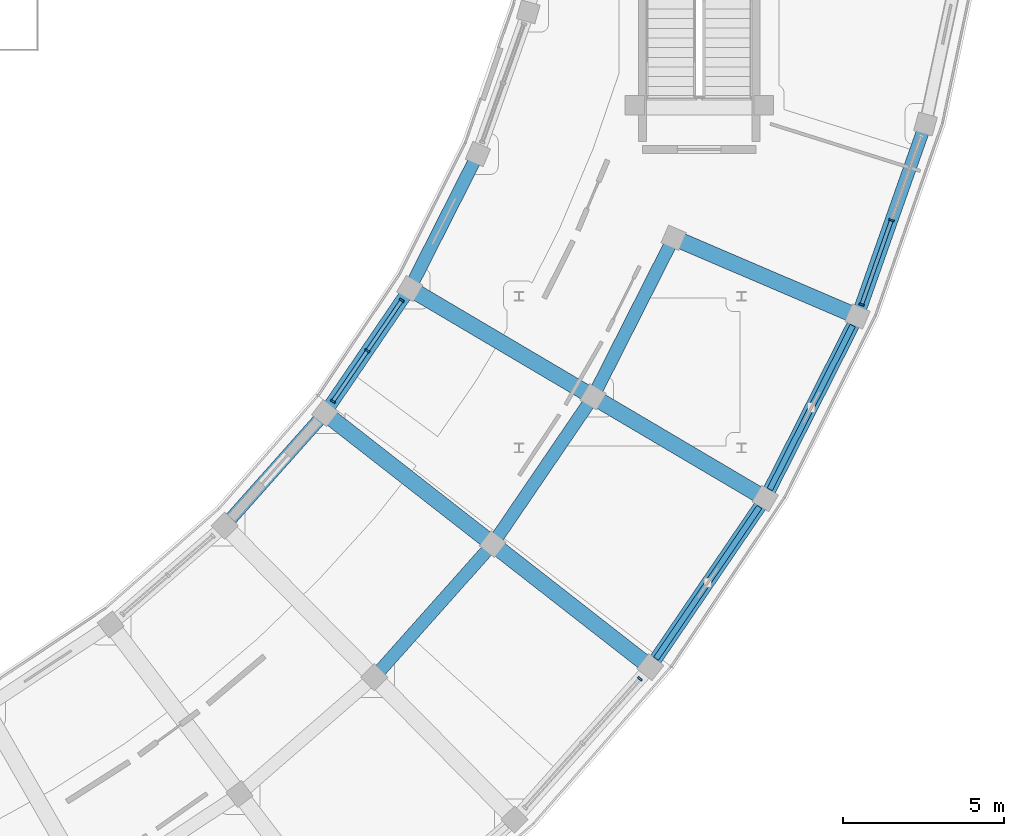
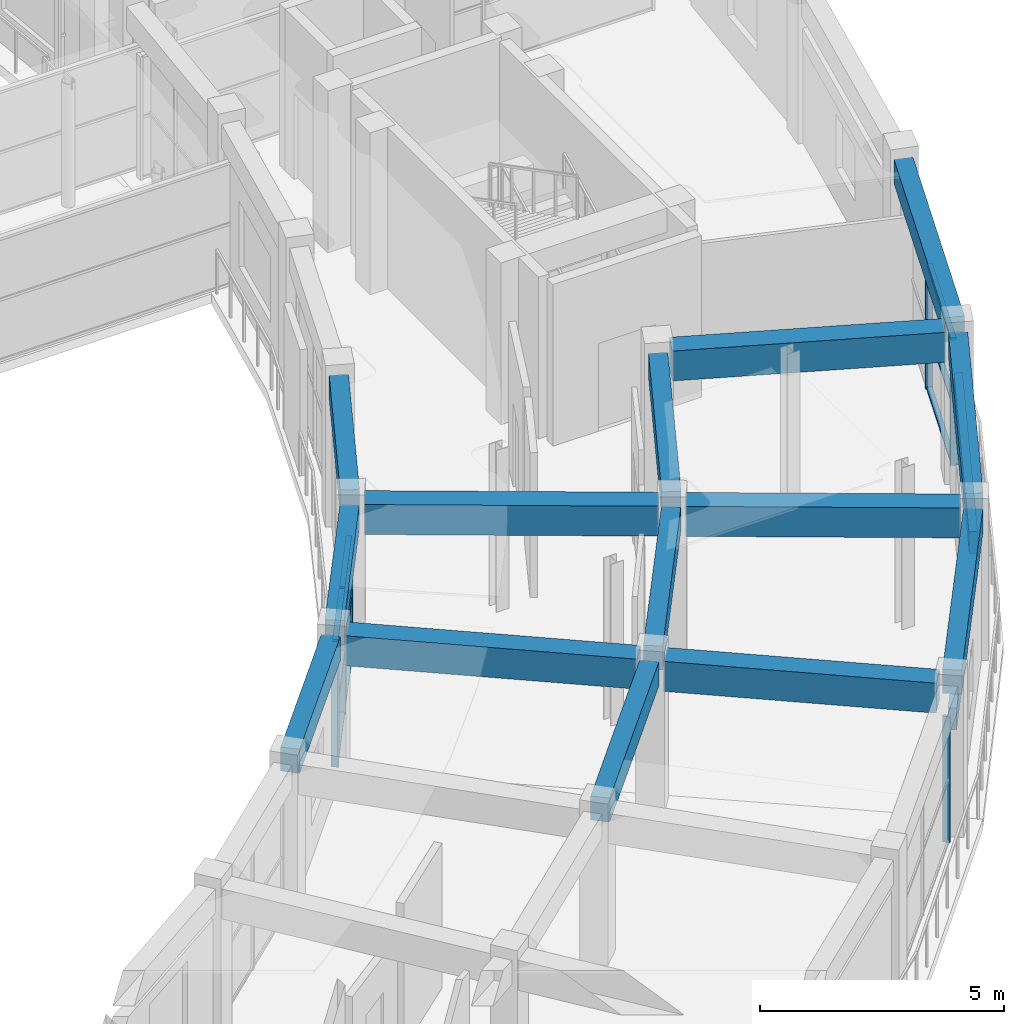
# One storey, part 17 of 53: 17 members, 14 beams, 3 elements without a shape of their own.
"""IFC4 building model written with IfcOpenShell, lengths in metres."""

from ifc_helpers import new_model, si_unit, direction, frame, origin, origin_2d, place, context, subcontext, project, spatial, rectangle, extrude, material, material_profile, profile_set, type_object, element, aggregate, save


model = new_model("IFC4")

# Units and contexts
model_context = context("Model", 3, precision=1e-05, world=origin(), true_north=direction((0.0, 1.0)))
body_context = subcontext(model_context, "Body", "Model", "MODEL_VIEW")
ifc_project = project(units=[si_unit("LENGTHUNIT", "METRE"), si_unit("AREAUNIT", "SQUARE_METRE"), si_unit("VOLUMEUNIT", "CUBIC_METRE"), si_unit("PLANEANGLEUNIT", "RADIAN"), si_unit("MASSUNIT", "GRAM", prefix="KILO")], contexts=[model_context])

# Site, building, storey
site_placement = place(None, origin())
site = spatial("IfcSite", under=ifc_project, at=site_placement, CompositionType="ELEMENT")
building_placement = place(site_placement, origin())
building = spatial("IfcBuilding", under=site, at=building_placement, Name="Saryqyr Civic Hall", CompositionType="ELEMENT")
storey_placement = place(building_placement, frame((0.0, 0.0, 21.300048828125)))
storey = spatial("IfcBuildingStorey", under=building, at=storey_placement, Name="L05", CompositionType="ELEMENT", Elevation=21.300048828125)

# Curtain wall, member
ifc_material_1 = material(Name="Anodised aluminium and triple low-E glass", Category="aluminium")
curtain_wall_type_1 = type_object("IfcCurtainWallType", Name="ENV-CW-STD-39", PredefinedType="NOTDEFINED", material=ifc_material_1)
curtain_wall_1_placement = place(storey_placement, origin())
curtain_wall_1 = element("IfcCurtainWall", 1, at=curtain_wall_1_placement, inside=storey, type_object=curtain_wall_type_1, Name="Curtain wall V5-CWO-L05-04", PredefinedType="NOTDEFINED")
ifc_material_2 = material(Name="Anodised aluminium", Category="aluminium")
ifc_material_profile_1 = material_profile(ifc_material_2, rectangle(XDim=0.06005859375, YDim=0.159912109375, at=origin_2d()), Name="ALU MULLION 60x160")
ifc_profile_set_1 = profile_set([ifc_material_profile_1], Name="Anodised aluminium")
member_type_1 = type_object("IfcMemberType", Name="ENV-CW-MUL-180", PredefinedType="MULLION", material=ifc_profile_set_1)
member_1_placement = place(storey_placement, frame((95.302978515625, 53.487060546875, 0.0), z_axis=(0.0, 0.0, 1.0), x_axis=(-0.664934159467, -0.746901977219, 0.0)))
member_1 = element("IfcMember", 2, at=member_1_placement, type_object=member_type_1, Name="CW-39 mullion 1", PredefinedType="MULLION", context=body_context, shape_type="SweptSolid", body=[
    extrude(rectangle(XDim=0.06005859375, YDim=0.159912109375, at=origin_2d()), origin(), (0.0, 0.0, 1.0), 3.155029296875),
])
aggregate(curtain_wall_1, [member_1])

# Curtain wall, members
curtain_wall_type_2 = type_object("IfcCurtainWallType", Name="ENV-CW-STD-27", PredefinedType="NOTDEFINED", material=ifc_material_1)
curtain_wall_2_placement = place(storey_placement, origin())
curtain_wall_2 = element("IfcCurtainWall", 3, at=curtain_wall_2_placement, inside=storey, type_object=curtain_wall_type_2, Name="Curtain wall V5-CWI-L05-05", PredefinedType="NOTDEFINED")
member_2_placement = place(storey_placement, frame((85.7841796875, 62.09033203125, 0.0), z_axis=(0.0, 0.0, 1.0), x_axis=(0.563129803105, 0.826368455869, 0.0)))
member_2 = element("IfcMember", 4, at=member_2_placement, type_object=member_type_1, Name="CW-27 mullion 1", PredefinedType="MULLION", context=body_context, shape_type="SweptSolid", body=[
    extrude(rectangle(XDim=0.06005859375, YDim=0.159912109375, at=origin_2d()), origin(), (0.0, 0.0, 1.0), 3.155029296875),
])
member_3_placement = place(storey_placement, frame((86.85205078125, 63.6572265625, 0.0), z_axis=(0.0, 0.0, 1.0), x_axis=(0.563129803105, 0.826368455869, 0.0)))
member_3 = element("IfcMember", 5, at=member_3_placement, type_object=member_type_1, Name="CW-27 mullion 2", PredefinedType="MULLION", context=body_context, shape_type="SweptSolid", body=[
    extrude(rectangle(XDim=0.06005859375, YDim=0.159912109375, at=origin_2d()), origin(), (0.0, 0.0, 1.0), 3.155029296875),
])
member_4_placement = place(storey_placement, frame((87.919921875, 65.22412109375, 0.0), z_axis=(0.0, 0.0, 1.0), x_axis=(0.563129803105, 0.826368455869, 0.0)))
member_4 = element("IfcMember", 6, at=member_4_placement, type_object=member_type_1, Name="CW-27 mullion 3", PredefinedType="MULLION", context=body_context, shape_type="SweptSolid", body=[
    extrude(rectangle(XDim=0.06005859375, YDim=0.159912109375, at=origin_2d()), origin(), (0.0, 0.0, 1.0), 3.155029296875),
])

curtain_wall_type_3 = type_object("IfcCurtainWallType", Name="ENV-CW-STD-40", PredefinedType="NOTDEFINED", material=ifc_material_1)
curtain_wall_3_placement = place(storey_placement, origin())
curtain_wall_3 = element("IfcCurtainWall", 7, at=curtain_wall_3_placement, inside=storey, type_object=curtain_wall_type_3, Name="Curtain wall V5-CWO-L05-07", PredefinedType="NOTDEFINED")
member_5_placement = place(storey_placement, frame((103.103759765625, 67.707763671875, 0.0), z_axis=(0.0, 0.0, 1.0), x_axis=(-0.33318018147, -0.942863174949, 0.0)))
member_5 = element("IfcMember", 8, at=member_5_placement, type_object=member_type_1, Name="CW-40 mullion 2", PredefinedType="MULLION", context=body_context, shape_type="SweptSolid", body=[
    extrude(rectangle(XDim=0.06005859375, YDim=0.159912109375, at=origin_2d()), origin(), (0.0, 0.0, 1.0), 3.155029296875),
])
member_6_placement = place(storey_placement, frame((102.1796875, 65.0927734375, 0.0), z_axis=(0.0, 0.0, 1.0), x_axis=(-0.33318018147, -0.942863174949, 0.0)))
member_6 = element("IfcMember", 9, at=member_6_placement, type_object=member_type_1, Name="CW-40 mullion 3", PredefinedType="MULLION", context=body_context, shape_type="SweptSolid", body=[
    extrude(rectangle(XDim=0.06005859375, YDim=0.159912109375, at=origin_2d()), origin(), (0.0, 0.0, 1.0), 3.155029296875),
])

# Member
ifc_material_profile_2 = material_profile(ifc_material_2, rectangle(XDim=0.1201171875, YDim=0.06005859375, at=origin_2d()), Name="ALU TRANSOM 120x60")
ifc_profile_set_2 = profile_set([ifc_material_profile_2], Name="Anodised aluminium")
member_type_2 = type_object("IfcMemberType", Name="ENV-CW-TRN-150", PredefinedType="USERDEFINED", material=ifc_profile_set_2)
member_7_placement = place(storey_placement, frame((85.80126953125, 62.114990234375, 0.030029296875), z_axis=(0.56304801064, 0.826424187518, 0.0), x_axis=(-0.826424187518, 0.56304801064, 0.0)))
member_7 = element("IfcMember", 10, at=member_7_placement, type_object=member_type_2, Name="CW-27 transom 1.1", ObjectType="TRANSOM", PredefinedType="USERDEFINED", context=body_context, shape_type="SweptSolid", body=[
    extrude(rectangle(XDim=0.1201171875, YDim=0.06005859375, at=origin_2d()), origin(), (0.0, 0.0, 1.0), 1.83642578125),
])

member_8_placement = place(storey_placement, frame((85.80126953125, 62.114990234375, 1.577880859375), z_axis=(0.56304801064, 0.826424187518, 0.0), x_axis=(-0.826424187518, 0.56304801064, 0.0)))
member_8 = element("IfcMember", 11, at=member_8_placement, type_object=member_type_2, Name="CW-27 transom 1.2", ObjectType="TRANSOM", PredefinedType="USERDEFINED", context=body_context, shape_type="SweptSolid", body=[
    extrude(rectangle(XDim=0.1201171875, YDim=0.06005859375, at=origin_2d()), origin(), (0.0, 0.0, 1.0), 1.83642578125),
])

member_9_placement = place(storey_placement, frame((85.80126953125, 62.114990234375, 3.125), z_axis=(0.56304801064, 0.826424187518, 0.0), x_axis=(-0.826424187518, 0.56304801064, 0.0)))
member_9 = element("IfcMember", 12, at=member_9_placement, type_object=member_type_2, Name="CW-27 transom 1.3", ObjectType="TRANSOM", PredefinedType="USERDEFINED", context=body_context, shape_type="SweptSolid", body=[
    extrude(rectangle(XDim=0.1201171875, YDim=0.06005859375, at=origin_2d()), origin(), (0.0, 0.0, 1.0), 1.83642578125),
])

member_10_placement = place(storey_placement, frame((86.868896484375, 63.68212890625, 0.030029296875), z_axis=(0.563200673278, 0.826320156852, 0.0), x_axis=(-0.826320156852, 0.563200673278, 0.0)))
member_10 = element("IfcMember", 13, at=member_10_placement, type_object=member_type_2, Name="CW-27 transom 2.1", ObjectType="TRANSOM", PredefinedType="USERDEFINED", context=body_context, shape_type="SweptSolid", body=[
    extrude(rectangle(XDim=0.1201171875, YDim=0.06005859375, at=origin_2d()), origin(), (0.0, 0.0, 1.0), 1.836181640625),
])

member_11_placement = place(storey_placement, frame((86.868896484375, 63.68212890625, 1.577880859375), z_axis=(0.563200673278, 0.826320156852, 0.0), x_axis=(-0.826320156852, 0.563200673278, 0.0)))
member_11 = element("IfcMember", 14, at=member_11_placement, type_object=member_type_2, Name="CW-27 transom 2.2", ObjectType="TRANSOM", PredefinedType="USERDEFINED", context=body_context, shape_type="SweptSolid", body=[
    extrude(rectangle(XDim=0.1201171875, YDim=0.06005859375, at=origin_2d()), origin(), (0.0, 0.0, 1.0), 1.836181640625),
])

member_12_placement = place(storey_placement, frame((86.868896484375, 63.68212890625, 3.125), z_axis=(0.563200673278, 0.826320156852, 0.0), x_axis=(-0.826320156852, 0.563200673278, 0.0)))
member_12 = element("IfcMember", 15, at=member_12_placement, type_object=member_type_2, Name="CW-27 transom 2.3", ObjectType="TRANSOM", PredefinedType="USERDEFINED", context=body_context, shape_type="SweptSolid", body=[
    extrude(rectangle(XDim=0.1201171875, YDim=0.06005859375, at=origin_2d()), origin(), (0.0, 0.0, 1.0), 1.836181640625),
])

aggregate(curtain_wall_2, [member_2, member_3, member_4, member_7, member_8, member_9, member_10, member_11, member_12])

member_13_placement = place(storey_placement, frame((103.09375, 67.679443359375, 0.030029296875), z_axis=(-0.333182490283, -0.94286235908, 0.0), x_axis=(0.94286235908, -0.333182490283, 0.0)))
member_13 = element("IfcMember", 16, at=member_13_placement, type_object=member_type_2, Name="CW-40 transom 2.1", ObjectType="TRANSOM", PredefinedType="USERDEFINED", context=body_context, shape_type="SweptSolid", body=[
    extrude(rectangle(XDim=0.1201171875, YDim=0.06005859375, at=origin_2d()), origin(), (0.0, 0.0, 1.0), 2.71337890625),
])

member_14_placement = place(storey_placement, frame((103.09375, 67.679443359375, 1.577880859375), z_axis=(-0.333182490283, -0.94286235908, 0.0), x_axis=(0.94286235908, -0.333182490283, 0.0)))
member_14 = element("IfcMember", 17, at=member_14_placement, type_object=member_type_2, Name="CW-40 transom 2.2", ObjectType="TRANSOM", PredefinedType="USERDEFINED", context=body_context, shape_type="SweptSolid", body=[
    extrude(rectangle(XDim=0.1201171875, YDim=0.06005859375, at=origin_2d()), origin(), (0.0, 0.0, 1.0), 2.71337890625),
])

member_15_placement = place(storey_placement, frame((103.09375, 67.679443359375, 3.125), z_axis=(-0.333182490283, -0.94286235908, 0.0), x_axis=(0.94286235908, -0.333182490283, 0.0)))
member_15 = element("IfcMember", 18, at=member_15_placement, type_object=member_type_2, Name="CW-40 transom 2.3", ObjectType="TRANSOM", PredefinedType="USERDEFINED", context=body_context, shape_type="SweptSolid", body=[
    extrude(rectangle(XDim=0.1201171875, YDim=0.06005859375, at=origin_2d()), origin(), (0.0, 0.0, 1.0), 2.71337890625),
])

aggregate(curtain_wall_3, [member_5, member_6, member_13, member_14, member_15])

# Members
ifc_material_3 = material(Name="Precast concrete C40/50", Category="concrete")
ifc_material_profile_3 = material_profile(ifc_material_3, rectangle(XDim=0.179931640625, YDim=0.550048828125, at=origin_2d()), Name="PC FIN 180x550")
ifc_profile_set_3 = profile_set([ifc_material_profile_3], Name="Precast concrete C40/50")
member_type_3 = type_object("IfcMemberType", Name="ENV-FIN-PC550", PredefinedType="USERDEFINED", material=ifc_profile_set_3)
for number, where, z_axis, x_axis, name in (
    (19, (95.8046875, 54.1123046875, 2.52001953125), (0.563123876528, 0.826372494511, 0.0), (-0.826372494511, 0.563123876528, 0.0), "Precast horizontal solar brise-soleil fin V5-L05-05"),
    (20, (99.3330078125, 59.36279296875, 2.52001953125), (0.451959332765, 0.892038542624, 0.0), (-0.892038542624, 0.451959332765, 0.0), "Precast horizontal solar brise-soleil fin V5-L05-06"),
):
    element("IfcMember", number, at=place(storey_placement, frame(where, z_axis=z_axis, x_axis=x_axis)), inside=storey, type_object=member_type_3, Name=name, ObjectType="SOLAR_FIN", PredefinedType="USERDEFINED", context=body_context, shape_type="SweptSolid", body=[
        extrude(rectangle(XDim=0.179931640625, YDim=0.550048828125, at=origin_2d()), origin(), (0.0, 0.0, 1.0), 5.6923828125),
    ])

# Beams
ifc_material_4 = material(Name="Concrete C35/45", Category="concrete")
ifc_material_profile_4 = material_profile(ifc_material_4, rectangle(XDim=0.39990234375, YDim=0.60009765625, at=origin_2d()), Name="RC 400x600")
ifc_profile_set_4 = profile_set([ifc_material_profile_4], Name="Concrete C35/45")
beam_type_1 = type_object("IfcBeamType", Name="STR-BM-RC400x600", PredefinedType="BEAM", material=ifc_profile_set_4)
for number, where, z_axis, x_axis, name in (
    (21, (87.24560546875, 53.7412109375, 3.47998046875), (0.664939021665, 0.746897648589, 0.0), (-0.746897648589, 0.664939021665, 0.0), "Beam V5-CBM-MID04-L05"),
    (22, (90.893310546875, 57.8916015625, 3.47998046875), (0.563126776121, 0.826370518603, 0.0), (-0.826370518603, 0.563126776121, 0.0), "Beam V5-CBM-MID05-L05"),
):
    element("IfcBeam", number, at=place(storey_placement, frame(where, z_axis=z_axis, x_axis=x_axis)), inside=storey, type_object=beam_type_1, Name=name, PredefinedType="BEAM", context=body_context, shape_type="SweptSolid", body=[
        extrude(rectangle(XDim=0.39990234375, YDim=0.60009765625, at=origin_2d()), origin(), (0.0, 0.0, 1.0), 4.9775390625),
    ])
beam_1_placement = place(storey_placement, frame((93.9755859375, 62.4775390625, 3.47998046875), z_axis=(0.451915877682, 0.892060558202, 0.0), x_axis=(-0.892060558202, 0.451915877682, 0.0)))
element("IfcBeam", 23, at=beam_1_placement, inside=storey, type_object=beam_type_1, Name="Beam V5-CBM-MID06-L05", PredefinedType="BEAM", context=body_context, shape_type="SweptSolid", body=[
    extrude(rectangle(XDim=0.39990234375, YDim=0.60009765625, at=origin_2d()), origin(), (0.0, 0.0, 1.0), 4.977783203125),
])
ifc_material_profile_5 = material_profile(ifc_material_4, rectangle(XDim=0.39990234375, YDim=0.60009765625, at=origin_2d()), Name="RC 400x600")
ifc_profile_set_5 = profile_set([ifc_material_profile_5], Name="Concrete C35/45")
beam_type_2 = type_object("IfcBeamType", Name="STR-BM-RC400x600-EXT", PredefinedType="BEAM", material=ifc_profile_set_5)
beam_2_placement = place(storey_placement, frame((82.60986328125, 58.43896484375, 3.47998046875), z_axis=(0.664933037621, 0.746902975948, 0.0), x_axis=(-0.746902975948, 0.664933037621, 0.0)))
element("IfcBeam", 24, at=beam_2_placement, inside=storey, type_object=beam_type_2, Name="Beam V5-CBM-IN04-L05", PredefinedType="BEAM", context=body_context, shape_type="SweptSolid", body=[
    extrude(rectangle(XDim=0.39990234375, YDim=0.60009765625, at=origin_2d()), origin(), (0.0, 0.0, 1.0), 4.125),
])
beam_3_placement = place(storey_placement, frame((85.690673828125, 61.952880859375, 3.47998046875), z_axis=(0.56312561749, 0.826371308146, 0.0), x_axis=(-0.826371308146, 0.56312561749, 0.0)))
element("IfcBeam", 25, at=beam_3_placement, inside=storey, type_object=beam_type_2, Name="Beam V5-CBM-IN05-L05", PredefinedType="BEAM", context=body_context, shape_type="SweptSolid", body=[
    extrude(rectangle(XDim=0.39990234375, YDim=0.60009765625, at=origin_2d()), origin(), (0.0, 0.0, 1.0), 4.125244140625),
])
beam_4_placement = place(storey_placement, frame((95.780517578125, 54.07666015625, 3.47998046875), z_axis=(0.563115242299, 0.82637837816, 0.0), x_axis=(-0.82637837816, 0.563115242299, 0.0)))
element("IfcBeam", 26, at=beam_4_placement, inside=storey, type_object=beam_type_2, Name="Beam V5-CBM-OUT05-L05", PredefinedType="BEAM", context=body_context, shape_type="SweptSolid", body=[
    extrude(rectangle(XDim=0.39990234375, YDim=0.60009765625, at=origin_2d()), origin(), (0.0, 0.0, 1.0), 5.7783203125),
])
beam_5_placement = place(storey_placement, frame((88.292724609375, 65.834228515625, 3.47998046875), z_axis=(0.45189446959, 0.89207140317, 0.0), x_axis=(-0.89207140317, 0.45189446959, 0.0)))
element("IfcBeam", 27, at=beam_5_placement, inside=storey, type_object=beam_type_2, Name="Beam V5-CBM-IN06-L05", PredefinedType="BEAM", context=body_context, shape_type="SweptSolid", body=[
    extrude(rectangle(XDim=0.39990234375, YDim=0.60009765625, at=origin_2d()), origin(), (0.0, 0.0, 1.0), 4.12548828125),
])
for number, where, z_axis, x_axis, name in (
    (28, (99.313720703125, 59.324462890625, 3.47998046875), (0.451922654691, 0.892057124952, 0.0), (-0.892057124952, 0.451922654691, 0.0), "Beam V5-CBM-OUT06-L05"),
    (29, (102.14111328125, 64.983642578125, 3.47998046875), (0.333186956354, 0.942860780877, 0.0), (-0.942860780877, 0.333186956354, 0.0), "Beam V5-CBM-OUT07-L05"),
):
    element("IfcBeam", number, at=place(storey_placement, frame(where, z_axis=z_axis, x_axis=x_axis)), inside=storey, type_object=beam_type_2, Name=name, PredefinedType="BEAM", context=body_context, shape_type="SweptSolid", body=[
        extrude(rectangle(XDim=0.39990234375, YDim=0.60009765625, at=origin_2d()), origin(), (0.0, 0.0, 1.0), 5.7783203125),
    ])
ifc_material_5 = material(Name="Concrete C40/50", Category="concrete")
ifc_material_profile_6 = material_profile(ifc_material_5, rectangle(XDim=0.5, YDim=0.75, at=origin_2d()), Name="RC 500x750")
ifc_profile_set_6 = profile_set([ifc_material_profile_6], Name="Concrete C40/50")
beam_type_3 = type_object("IfcBeamType", Name="STR-BM-RC500x750", PredefinedType="BEAM", material=ifc_profile_set_6)
beam_6_placement = place(storey_placement, frame((85.75244140625, 61.556396484375, 3.405029296875), z_axis=(0.788258017603, -0.615344860777, 0.0), x_axis=(0.615344860777, 0.788258017603, 0.0)))
element("IfcBeam", 30, at=beam_6_placement, inside=storey, type_object=beam_type_3, Name="Beam V5-RBM-A05-L05", PredefinedType="BEAM", context=body_context, shape_type="SweptSolid", body=[
    extrude(rectangle(XDim=0.5, YDim=0.75, at=origin_2d()), origin(), (0.0, 0.0, 1.0), 6.050048828125),
])
beam_7_placement = place(storey_placement, frame((90.955078125, 57.4951171875, 3.405029296875), z_axis=(0.788283067243, -0.615312770791, 0.0), x_axis=(0.615312770791, 0.788283067243, 0.0)))
element("IfcBeam", 31, at=beam_7_placement, inside=storey, type_object=beam_type_3, Name="Beam V5-RBM-B05-L05", PredefinedType="BEAM", context=body_context, shape_type="SweptSolid", body=[
    extrude(rectangle(XDim=0.5, YDim=0.75, at=origin_2d()), origin(), (0.0, 0.0, 1.0), 5.650146484375),
])
beam_8_placement = place(storey_placement, frame((88.4052734375, 65.44921875, 3.405029296875), z_axis=(0.861018900268, -0.508572957776, 0.0), x_axis=(0.508572957776, 0.861018900268, 0.0)))
element("IfcBeam", 32, at=beam_8_placement, inside=storey, type_object=beam_type_3, Name="Beam V5-RBM-A06-L05", PredefinedType="BEAM", context=body_context, shape_type="SweptSolid", body=[
    extrude(rectangle(XDim=0.5, YDim=0.75, at=origin_2d()), origin(), (0.0, 0.0, 1.0), 6.050048828125),
])
beam_9_placement = place(storey_placement, frame((94.087890625, 62.09228515625, 3.405029296875), z_axis=(0.861029741325, -0.508554603315, 0.0), x_axis=(0.508554603315, 0.861029741325, 0.0)))
element("IfcBeam", 33, at=beam_9_placement, inside=storey, type_object=beam_type_3, Name="Beam V5-RBM-B06-L05", PredefinedType="BEAM", context=body_context, shape_type="SweptSolid", body=[
    extrude(rectangle(XDim=0.5, YDim=0.75, at=origin_2d()), origin(), (0.0, 0.0, 1.0), 5.64990234375),
])
beam_10_placement = place(storey_placement, frame((96.60205078125, 67.05517578125, 3.405029296875), z_axis=(0.919375077042, -0.393382088706, 0.0), x_axis=(0.393382088706, 0.919375077042, 0.0)))
element("IfcBeam", 34, at=beam_10_placement, inside=storey, type_object=beam_type_3, Name="Beam V5-RBM-B07-L05", PredefinedType="BEAM", context=body_context, shape_type="SweptSolid", body=[
    extrude(rectangle(XDim=0.5, YDim=0.75, at=origin_2d()), origin(), (0.0, 0.0, 1.0), 5.650146484375),
])

save(model, "model.ifc")
